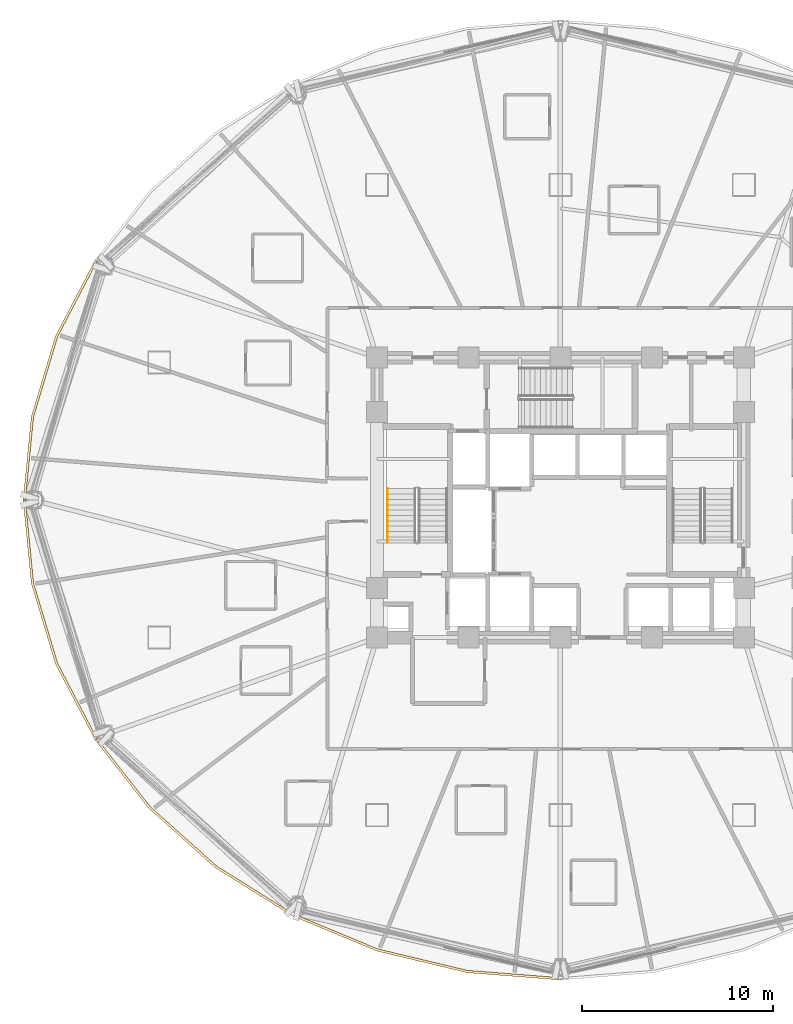
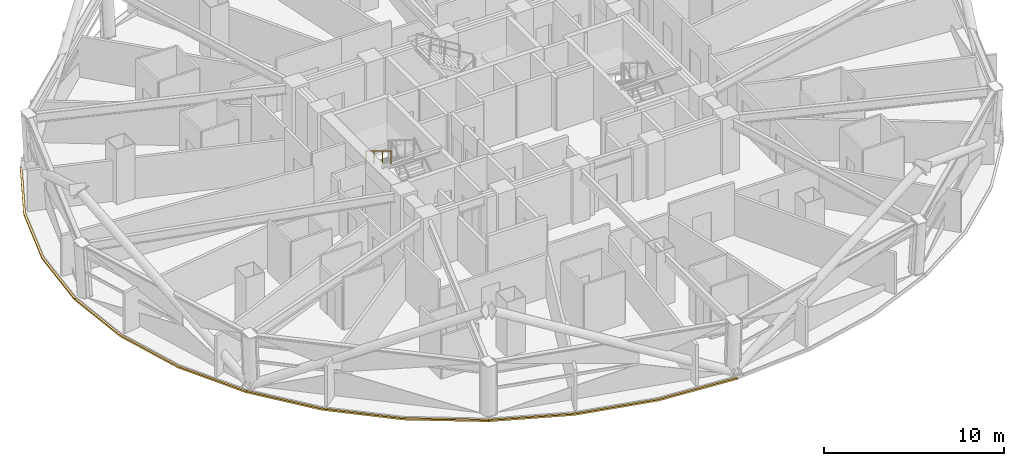
# One storey, part 12 of 16: 4 coverings, 1 railing.
"""IFC4 building model written with IfcOpenShell, lengths in metres."""

from ifc_helpers import new_model, si_unit, direction, frame, origin, origin_2d, place, context, subcontext, project, spatial, polyline, rectangle, outline, extrude, material, layer, layer_set, type_object, element, save


model = new_model("IFC4")

# Units and contexts
model_context = context("Model", 3, precision=1e-05, world=origin(), true_north=direction((0.0, 1.0)))
body_context = subcontext(model_context, "Body", "Model", "MODEL_VIEW")
ifc_project = project(units=[si_unit("LENGTHUNIT", "METRE"), si_unit("AREAUNIT", "SQUARE_METRE"), si_unit("VOLUMEUNIT", "CUBIC_METRE"), si_unit("PLANEANGLEUNIT", "RADIAN"), si_unit("MASSUNIT", "GRAM", prefix="KILO")], contexts=[model_context])

# Site, building, storey
site_placement = place(None, origin())
site = spatial("IfcSite", under=ifc_project, at=site_placement, CompositionType="ELEMENT")
building_placement = place(site_placement, origin())
building = spatial("IfcBuilding", under=site, at=building_placement, Name="Vantalir Tower", CompositionType="ELEMENT")
storey_placement = place(building_placement, frame((0.0, 0.0, 64.5)))
storey = spatial("IfcBuildingStorey", under=building, at=storey_placement, Name="L15", CompositionType="ELEMENT", Elevation=64.5)

# Coverings
ifc_material_1 = material(Name="Anodised champagne aluminium sill fascia", Category="aluminium")
ifc_layer = layer(ifc_material_1, 0.125)
ifc_layer_set = layer_set([ifc_layer], Name="Anodised champagne aluminium sill fascia")
covering_type = type_object("IfcCoveringType", Name="COV-SLAB-FASCIA-125", PredefinedType="CLADDING", material=ifc_layer_set)
covering_1_placement = place(storey_placement, frame((0.0, 0.0, -0.179931640625)))
element("IfcCovering", 1, at=covering_1_placement, inside=storey, type_object=covering_type, Name="L15 Perimeter Slab-Edge Sill Fascia 06", PredefinedType="CLADDING", context=body_context, shape_type="SweptSolid", body=[
    extrude(outline(polyline([(7.14208984375, 37.56298828125), (5.070068359375, 33.593994140625), (3.801025390625, 29.363037109375), (3.3740234375, 25.0), (3.4990234375, 25.0), (3.924072265625, 29.341064453125), (5.18798828125, 33.551025390625), (7.25, 37.5), (7.14208984375, 37.56298828125)])), origin(), (0.0, 0.0, 1.0), 0.10498046875),
])
covering_2_placement = place(storey_placement, frame((0.0, 0.0, -0.179931640625)))
element("IfcCovering", 2, at=covering_2_placement, inside=storey, type_object=covering_type, Name="L15 Perimeter Slab-Edge Sill Fascia 07", PredefinedType="CLADDING", context=body_context, shape_type="SweptSolid", body=[
    extrude(outline(polyline([(3.3740234375, 25.0), (3.801025390625, 20.636962890625), (5.070068359375, 16.406005859375), (7.14208984375, 12.43701171875), (7.25, 12.4990234375), (5.18798828125, 16.448974609375), (3.924072265625, 20.658935546875), (3.4990234375, 25.0), (3.3740234375, 25.0)])), origin(), (0.0, 0.0, 1.0), 0.10498046875),
])
covering_3_placement = place(storey_placement, frame((0.0, 0.0, -0.179931640625)))
element("IfcCovering", 3, at=covering_3_placement, inside=storey, type_object=covering_type, Name="L15 Perimeter Slab-Edge Sill Fascia 08", PredefinedType="CLADDING", context=body_context, shape_type="SweptSolid", body=[
    extrude(outline(polyline([(7.14208984375, 12.43701171875), (9.9541015625, 8.84912109375), (13.4208984375, 5.751953125), (17.43701171875, 3.239990234375), (17.4990234375, 3.347900390625), (13.5009765625, 5.847900390625), (10.050048828125, 8.929931640625), (7.25, 12.4990234375), (7.14208984375, 12.43701171875)])), origin(), (0.0, 0.0, 1.0), 0.10498046875),
])
covering_4_placement = place(storey_placement, frame((0.0, 0.0, -0.179931640625)))
element("IfcCovering", 4, at=covering_4_placement, inside=storey, type_object=covering_type, Name="L15 Perimeter Slab-Edge Sill Fascia 09", PredefinedType="CLADDING", context=body_context, shape_type="SweptSolid", body=[
    extrude(outline(polyline([(17.43701171875, 3.239990234375), (21.8798828125, 1.388916015625), (26.615966796875, 0.256103515625), (31.5, -0.1259765625), (31.5, -0.0009765625), (26.637939453125, 0.37890625), (21.923095703125, 1.507080078125), (17.4990234375, 3.347900390625), (17.43701171875, 3.239990234375)])), origin(), (0.0, 0.0, 1.0), 0.10498046875),
])

# Railing
ifc_material_2 = material(Name="Brushed stainless steel tubular handrail", Category="steel")
railing_type = type_object("IfcRailingType", Name="RAL-HANDRAIL-900", PredefinedType="HANDRAIL", material=ifc_material_2)
railing_placement = place(storey_placement, frame((22.449951171875, 25.590087890625, 2.04541015625)))
element("IfcRailing", 5, at=railing_placement, inside=storey, type_object=railing_type, Name="L15 ST1 stair handrail 2", PredefinedType="HANDRAIL", context=body_context, shape_type="SweptSolid", body=[
    extrude(rectangle(XDim=0.048095703125, YDim=0.048095703125, at=origin_2d()), frame((0.0, 0.0, 0.8759765625), z_axis=(0.0, -0.854169791009, 0.51999420009), x_axis=(1.0, 0.0, 0.0)), (0.0, 0.0, 1.0), 3.278076171875),
    extrude(rectangle(XDim=0.0419921875, YDim=0.0419921875, at=origin_2d()), origin(), (0.0, 0.0, 1.0), 0.851806640625),
    extrude(rectangle(XDim=0.0419921875, YDim=0.0419921875, at=origin_2d()), frame((0.0, -0.933349609375, 0.568115234375)), (0.0, 0.0, 1.0), 0.851806640625),
    extrude(rectangle(XDim=0.0419921875, YDim=0.0419921875, at=origin_2d()), frame((0.0, -1.86669921875, 1.136474609375)), (0.0, 0.0, 1.0), 0.851806640625),
    extrude(rectangle(XDim=0.0419921875, YDim=0.0419921875, at=origin_2d()), frame((0.0, -2.800048828125, 1.70458984375)), (0.0, 0.0, 1.0), 0.851806640625),
])

save(model, "model.ifc")
